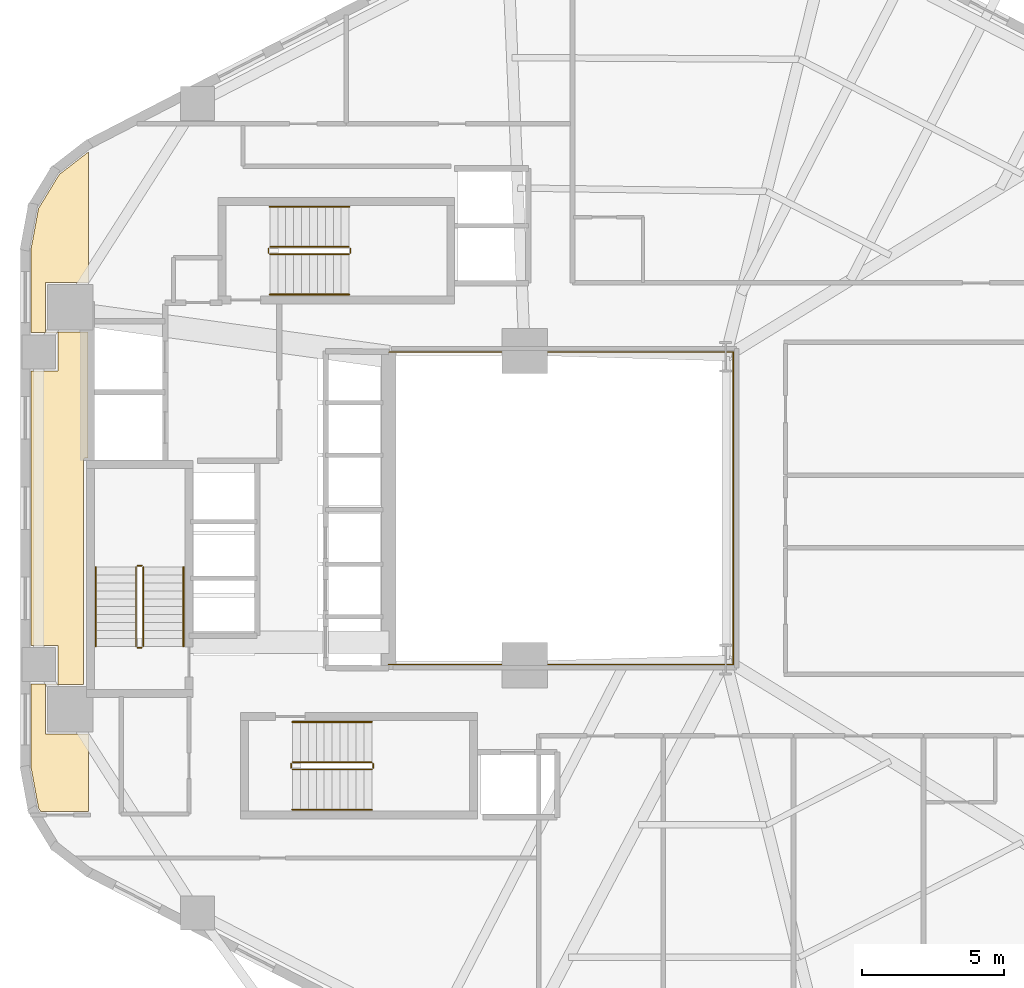
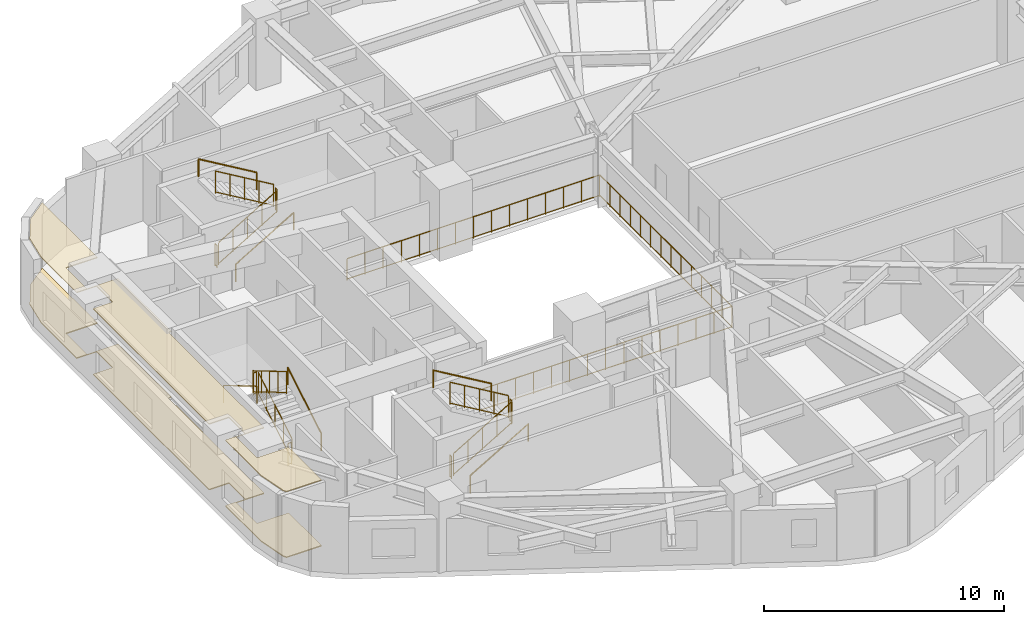
# One storey, part 7 of 7: 19 railings, 2 coverings.
"""IFC4 building model written with IfcOpenShell, lengths in metres."""

from ifc_helpers import new_model, si_unit, direction, frame, origin, origin_2d, place, context, subcontext, project, spatial, polyline, circle, outline, extrude, material, layer, layer_set, type_object, element, save


model = new_model("IFC4")

# Units and contexts
model_context = context("Model", 3, precision=1e-05, world=origin(), true_north=direction((0.0, 1.0)))
body_context = subcontext(model_context, "Body", "Model", "MODEL_VIEW")
ifc_project = project(units=[si_unit("LENGTHUNIT", "METRE"), si_unit("AREAUNIT", "SQUARE_METRE"), si_unit("VOLUMEUNIT", "CUBIC_METRE"), si_unit("PLANEANGLEUNIT", "RADIAN"), si_unit("MASSUNIT", "GRAM", prefix="KILO"), si_unit("THERMODYNAMICTEMPERATUREUNIT", "KELVIN"), si_unit("POWERUNIT", "WATT")], contexts=[model_context])

# Site, building, storey
site_placement = place(None, origin())
site = spatial("IfcSite", under=ifc_project, at=site_placement, CompositionType="ELEMENT")
building_placement = place(site_placement, origin())
building = spatial("IfcBuilding", under=site, at=building_placement, Name="Skarre Station Tower", CompositionType="ELEMENT")
storey_placement = place(building_placement, frame((0.0, 0.0, 78.10009765625)))
storey = spatial("IfcBuildingStorey", under=building, at=storey_placement, Name="L20", CompositionType="ELEMENT", Elevation=78.10009765625)

# Railing
ifc_material_1 = material(Name="Bronze Anodized Steel & Laminated Glass Balustrade", Category="steel")
railing_type_1 = type_object("IfcRailingType", Name="Atrium Void & Mezzanine Guard Balustrade 1120", PredefinedType="GUARDRAIL", material=ifc_material_1)
railing_1_placement = place(storey_placement, frame((27.550048828125, 18.47998046875, 0.0)))
element("IfcRailing", 1, at=railing_1_placement, inside=storey, type_object=railing_type_1, Name="L20 Atrium Void Guard Balustrade", PredefinedType="GUARDRAIL", context=body_context, shape_type="SweptSolid", body=[
    extrude(circle(Radius=0.02392578125, at=origin_2d()), frame((0.0, 0.0, 1.09619140625), z_axis=(1.0, 0.0, 0.0), x_axis=(0.0, 1.0, 0.0)), (0.0, 0.0, 1.0), 12.169921875),
    extrude(circle(Radius=0.02099609375, at=origin_2d()), frame((0.0, 0.0, 0.06005859375), z_axis=(1.0, 0.0, 0.0), x_axis=(0.0, 1.0, 0.0)), (0.0, 0.0, 1.0), 12.169921875),
    extrude(circle(Radius=0.02392578125, at=origin_2d()), frame((12.169921875, 0.0, 1.09619140625), z_axis=(0.0, 1.0, 0.0), x_axis=(-1.0, 0.0, 0.0)), (0.0, 0.0, 1.0), 11.0400390625),
    extrude(circle(Radius=0.02099609375, at=origin_2d()), frame((12.169921875, 0.0, 0.06005859375), z_axis=(0.0, 1.0, 0.0), x_axis=(-1.0, 0.0, 0.0)), (0.0, 0.0, 1.0), 11.0400390625),
    extrude(circle(Radius=0.02392578125, at=origin_2d()), frame((12.169921875, 11.0400390625, 1.09619140625), z_axis=(-1.0, 0.0, 0.0), x_axis=(0.0, -1.0, 0.0)), (0.0, 0.0, 1.0), 12.169921875),
    extrude(circle(Radius=0.02099609375, at=origin_2d()), frame((12.169921875, 11.0400390625, 0.06005859375), z_axis=(-1.0, 0.0, 0.0), x_axis=(0.0, -1.0, 0.0)), (0.0, 0.0, 1.0), 12.169921875),
    extrude(circle(Radius=0.02099609375, at=origin_2d()), origin(), (0.0, 0.0, 1.0), 1.072021484375),
    extrude(circle(Radius=0.02099609375, at=origin_2d()), frame((0.869384765625, 0.0, 0.0)), (0.0, 0.0, 1.0), 1.072021484375),
    extrude(circle(Radius=0.02099609375, at=origin_2d()), frame((1.738525390625, 0.0, 0.0)), (0.0, 0.0, 1.0), 1.072021484375),
    extrude(circle(Radius=0.02099609375, at=origin_2d()), frame((2.60791015625, 0.0, 0.0)), (0.0, 0.0, 1.0), 1.072021484375),
    extrude(circle(Radius=0.02099609375, at=origin_2d()), frame((3.47705078125, 0.0, 0.0)), (0.0, 0.0, 1.0), 1.072021484375),
    extrude(circle(Radius=0.02099609375, at=origin_2d()), frame((4.346435546875, 0.0, 0.0)), (0.0, 0.0, 1.0), 1.072021484375),
    extrude(circle(Radius=0.02099609375, at=origin_2d()), frame((5.215576171875, 0.0, 0.0)), (0.0, 0.0, 1.0), 1.072021484375),
    extrude(circle(Radius=0.02099609375, at=origin_2d()), frame((6.0849609375, 0.0, 0.0)), (0.0, 0.0, 1.0), 1.072021484375),
    extrude(circle(Radius=0.02099609375, at=origin_2d()), frame((6.954345703125, 0.0, 0.0)), (0.0, 0.0, 1.0), 1.072021484375),
    extrude(circle(Radius=0.02099609375, at=origin_2d()), frame((7.823486328125, 0.0, 0.0)), (0.0, 0.0, 1.0), 1.072021484375),
    extrude(circle(Radius=0.02099609375, at=origin_2d()), frame((8.69287109375, 0.0, 0.0)), (0.0, 0.0, 1.0), 1.072021484375),
    extrude(circle(Radius=0.02099609375, at=origin_2d()), frame((9.56201171875, 0.0, 0.0)), (0.0, 0.0, 1.0), 1.072021484375),
    extrude(circle(Radius=0.02099609375, at=origin_2d()), frame((10.431396484375, 0.0, 0.0)), (0.0, 0.0, 1.0), 1.072021484375),
    extrude(circle(Radius=0.02099609375, at=origin_2d()), frame((11.300537109375, 0.0, 0.0)), (0.0, 0.0, 1.0), 1.072021484375),
    extrude(circle(Radius=0.02099609375, at=origin_2d()), frame((12.169921875, 0.0, 0.0)), (0.0, 0.0, 1.0), 1.072021484375),
    extrude(circle(Radius=0.02099609375, at=origin_2d()), frame((12.169921875, 0.84912109375, 0.0)), (0.0, 0.0, 1.0), 1.072021484375),
    extrude(circle(Radius=0.02099609375, at=origin_2d()), frame((12.169921875, 1.698486328125, 0.0)), (0.0, 0.0, 1.0), 1.072021484375),
    extrude(circle(Radius=0.02099609375, at=origin_2d()), frame((12.169921875, 2.547607421875, 0.0)), (0.0, 0.0, 1.0), 1.072021484375),
    extrude(circle(Radius=0.02099609375, at=origin_2d()), frame((12.169921875, 3.39697265625, 0.0)), (0.0, 0.0, 1.0), 1.072021484375),
    extrude(circle(Radius=0.02099609375, at=origin_2d()), frame((12.169921875, 4.24609375, 0.0)), (0.0, 0.0, 1.0), 1.072021484375),
    extrude(circle(Radius=0.02099609375, at=origin_2d()), frame((12.169921875, 5.095458984375, 0.0)), (0.0, 0.0, 1.0), 1.072021484375),
    extrude(circle(Radius=0.02099609375, at=origin_2d()), frame((12.169921875, 5.944580078125, 0.0)), (0.0, 0.0, 1.0), 1.072021484375),
    extrude(circle(Radius=0.02099609375, at=origin_2d()), frame((12.169921875, 6.7939453125, 0.0)), (0.0, 0.0, 1.0), 1.072021484375),
    extrude(circle(Radius=0.02099609375, at=origin_2d()), frame((12.169921875, 7.64306640625, 0.0)), (0.0, 0.0, 1.0), 1.072021484375),
    extrude(circle(Radius=0.02099609375, at=origin_2d()), frame((12.169921875, 8.492431640625, 0.0)), (0.0, 0.0, 1.0), 1.072021484375),
    extrude(circle(Radius=0.02099609375, at=origin_2d()), frame((12.169921875, 9.341552734375, 0.0)), (0.0, 0.0, 1.0), 1.072021484375),
    extrude(circle(Radius=0.02099609375, at=origin_2d()), frame((12.169921875, 10.19091796875, 0.0)), (0.0, 0.0, 1.0), 1.072021484375),
    extrude(circle(Radius=0.02099609375, at=origin_2d()), frame((12.169921875, 11.0400390625, 0.0)), (0.0, 0.0, 1.0), 1.072021484375),
    extrude(circle(Radius=0.02099609375, at=origin_2d()), frame((11.300537109375, 11.0400390625, 0.0)), (0.0, 0.0, 1.0), 1.072021484375),
    extrude(circle(Radius=0.02099609375, at=origin_2d()), frame((10.431396484375, 11.0400390625, 0.0)), (0.0, 0.0, 1.0), 1.072021484375),
    extrude(circle(Radius=0.02099609375, at=origin_2d()), frame((9.56201171875, 11.0400390625, 0.0)), (0.0, 0.0, 1.0), 1.072021484375),
    extrude(circle(Radius=0.02099609375, at=origin_2d()), frame((8.69287109375, 11.0400390625, 0.0)), (0.0, 0.0, 1.0), 1.072021484375),
    extrude(circle(Radius=0.02099609375, at=origin_2d()), frame((7.823486328125, 11.0400390625, 0.0)), (0.0, 0.0, 1.0), 1.072021484375),
    extrude(circle(Radius=0.02099609375, at=origin_2d()), frame((6.954345703125, 11.0400390625, 0.0)), (0.0, 0.0, 1.0), 1.072021484375),
    extrude(circle(Radius=0.02099609375, at=origin_2d()), frame((6.0849609375, 11.0400390625, 0.0)), (0.0, 0.0, 1.0), 1.072021484375),
    extrude(circle(Radius=0.02099609375, at=origin_2d()), frame((5.215576171875, 11.0400390625, 0.0)), (0.0, 0.0, 1.0), 1.072021484375),
    extrude(circle(Radius=0.02099609375, at=origin_2d()), frame((4.346435546875, 11.0400390625, 0.0)), (0.0, 0.0, 1.0), 1.072021484375),
    extrude(circle(Radius=0.02099609375, at=origin_2d()), frame((3.47705078125, 11.0400390625, 0.0)), (0.0, 0.0, 1.0), 1.072021484375),
    extrude(circle(Radius=0.02099609375, at=origin_2d()), frame((2.60791015625, 11.0400390625, 0.0)), (0.0, 0.0, 1.0), 1.072021484375),
    extrude(circle(Radius=0.02099609375, at=origin_2d()), frame((1.738525390625, 11.0400390625, 0.0)), (0.0, 0.0, 1.0), 1.072021484375),
    extrude(circle(Radius=0.02099609375, at=origin_2d()), frame((0.869384765625, 11.0400390625, 0.0)), (0.0, 0.0, 1.0), 1.072021484375),
    extrude(circle(Radius=0.02099609375, at=origin_2d()), frame((0.0, 11.0400390625, 0.0)), (0.0, 0.0, 1.0), 1.072021484375),
])

# Coverings
ifc_material_2 = material(Name="Honed Jura Limestone & Calcium-Sulfate Access Tile", Category="masonry")
ifc_layer_1 = layer(ifc_material_2, 0.050048828125, Name="Honed Jura Limestone & Calcium-Sulfate Access Tile")
ifc_layer_set_1 = layer_set([ifc_layer_1], Name="Honed Jura Limestone & Calcium-Sulfate Access Tile")
covering_type_1 = type_object("IfcCoveringType", Name="Honed Limestone & Raised Access Floor Finish 50", PredefinedType="FLOORING", material=ifc_layer_set_1)
covering_1_placement = place(storey_placement, origin())
element("IfcCovering", 2, at=covering_1_placement, inside=storey, type_object=covering_type_1, Name="L20 Limestone Access Flooring 1", PredefinedType="FLOORING", context=body_context, shape_type="SweptSolid", body=[
    extrude(outline(polyline([(16.93994140625, 36.583984375), (15.910888671875, 35.787109375), (15.178955078125, 34.5859375), (14.9169921875, 33.1669921875), (14.9169921875, 30.200927734375), (15.866943359375, 30.200927734375), (15.866943359375, 28.841064453125), (14.9169921875, 28.841064453125), (14.9169921875, 19.158935546875), (15.866943359375, 19.158935546875), (15.866943359375, 17.799072265625), (14.9169921875, 17.799072265625), (14.9169921875, 14.8330078125), (15.178955078125, 13.4140625), (15.260986328125, 13.280029296875), (16.93994140625, 13.280029296875), (16.93994140625, 16.02001953125), (15.419921875, 16.02001953125), (15.419921875, 17.780029296875), (16.77001953125, 17.780029296875), (16.77001953125, 25.699951171875), (16.77001953125, 25.7080078125), (16.77197265625, 25.716064453125), (16.77294921875, 25.722900390625), (16.77587890625, 25.73095703125), (16.779052734375, 25.738037109375), (16.782958984375, 25.743896484375), (16.7880859375, 25.7509765625), (16.79296875, 25.757080078125), (16.799072265625, 25.761962890625), (16.805908203125, 25.76708984375), (16.81201171875, 25.77099609375), (16.819091796875, 25.77392578125), (16.826904296875, 25.777099609375), (16.833984375, 25.778076171875), (16.842041015625, 25.780029296875), (16.85009765625, 25.780029296875), (16.919921875, 25.780029296875), (16.919921875, 30.219970703125), (15.419921875, 30.219970703125), (15.419921875, 31.97998046875), (16.93994140625, 31.97998046875), (16.93994140625, 36.583984375)])), origin(), (0.0, 0.0, 1.0), 0.0498046875),
])
ifc_material_3 = material(Name="Perforated Nordic Birch Veneer & Mineral Wool", Category="wood")
ifc_layer_2 = layer(ifc_material_3, 0.044921875, Name="Perforated Nordic Birch Veneer & Mineral Wool")
ifc_layer_set_2 = layer_set([ifc_layer_2], Name="Perforated Nordic Birch Veneer & Mineral Wool")
covering_type_2 = type_object("IfcCoveringType", Name="Nordic Birch Slatted Acoustic Suspended Ceiling 45", PredefinedType="CEILING", material=ifc_layer_set_2)
covering_2_placement = place(storey_placement, frame((0.0, 0.0, 3.344970703125)))
element("IfcCovering", 3, at=covering_2_placement, inside=storey, type_object=covering_type_2, Name="L20 Acoustic Birch Ceiling 1", PredefinedType="CEILING", context=body_context, shape_type="SweptSolid", body=[
    extrude(outline(polyline([(16.93994140625, 36.583984375), (15.910888671875, 35.787109375), (15.178955078125, 34.5859375), (14.9169921875, 33.1669921875), (14.9169921875, 30.200927734375), (15.866943359375, 30.200927734375), (15.866943359375, 28.841064453125), (14.9169921875, 28.841064453125), (14.9169921875, 19.158935546875), (15.866943359375, 19.158935546875), (15.866943359375, 17.799072265625), (14.9169921875, 17.799072265625), (14.9169921875, 14.8330078125), (15.178955078125, 13.4140625), (15.260986328125, 13.280029296875), (16.93994140625, 13.280029296875), (16.93994140625, 16.02001953125), (15.419921875, 16.02001953125), (15.419921875, 17.780029296875), (16.77001953125, 17.780029296875), (16.77001953125, 25.699951171875), (16.77001953125, 25.7080078125), (16.77197265625, 25.716064453125), (16.77294921875, 25.722900390625), (16.77587890625, 25.73095703125), (16.779052734375, 25.738037109375), (16.782958984375, 25.743896484375), (16.7880859375, 25.7509765625), (16.79296875, 25.757080078125), (16.799072265625, 25.761962890625), (16.805908203125, 25.76708984375), (16.81201171875, 25.77099609375), (16.819091796875, 25.77392578125), (16.826904296875, 25.777099609375), (16.833984375, 25.778076171875), (16.842041015625, 25.780029296875), (16.85009765625, 25.780029296875), (16.919921875, 25.780029296875), (16.919921875, 30.219970703125), (15.419921875, 30.219970703125), (15.419921875, 31.97998046875), (16.93994140625, 31.97998046875), (16.93994140625, 36.583984375)])), origin(), (0.0, 0.0, 1.0), 0.044921875),
])

# Railings
ifc_material_4 = material(Name="Powder-Coated Tubular Steel", Category="steel")
railing_type_2 = type_object("IfcRailingType", Name="Painted Steel Ramp & Stair Handrail 920", PredefinedType="HANDRAIL", material=ifc_material_4)
railing_2_placement = place(storey_placement, frame((20.300048828125, 19.1201171875, 0.165771484375)))
element("IfcRailing", 4, at=railing_2_placement, inside=storey, type_object=railing_type_2, Name="L20 ST-1 stair handrail 1", PredefinedType="HANDRAIL", context=body_context, shape_type="SweptSolid", body=[
    extrude(circle(Radius=0.02392578125, at=origin_2d()), frame((0.0, 0.0, 0.8759765625), z_axis=(0.0, 0.860286659441, 0.509810615413), x_axis=(-1.0, 0.0, 0.0)), (0.0, 0.0, 1.0), 3.25439453125),
    extrude(circle(Radius=0.02099609375, at=origin_2d()), origin(), (0.0, 0.0, 1.0), 0.851806640625),
    extrude(circle(Radius=0.02099609375, at=origin_2d()), frame((0.0, 2.7998046875, 1.6591796875)), (0.0, 0.0, 1.0), 0.851806640625),
])
railing_3_placement = place(storey_placement, frame((17.199951171875, 21.919921875, 1.99072265625)))
element("IfcRailing", 5, at=railing_3_placement, inside=storey, type_object=railing_type_2, Name="L20 ST-1 stair handrail 2", PredefinedType="HANDRAIL", context=body_context, shape_type="SweptSolid", body=[
    extrude(circle(Radius=0.02392578125, at=origin_2d()), frame((0.0, 0.0, 0.8759765625), z_axis=(0.0, -0.860286659441, 0.509810615413), x_axis=(1.0, 0.0, 0.0)), (0.0, 0.0, 1.0), 3.25439453125),
    extrude(circle(Radius=0.02099609375, at=origin_2d()), origin(), (0.0, 0.0, 1.0), 0.851806640625),
    extrude(circle(Radius=0.02099609375, at=origin_2d()), frame((0.0, -2.7998046875, 1.6591796875)), (0.0, 0.0, 1.0), 0.851806640625),
])
railing_4_placement = place(storey_placement, frame((24.14990234375, 13.35009765625, 0.165771484375)))
element("IfcRailing", 6, at=railing_4_placement, inside=storey, type_object=railing_type_2, Name="L20 ST-2 stair handrail 1", PredefinedType="HANDRAIL", context=body_context, shape_type="SweptSolid", body=[
    extrude(circle(Radius=0.02392578125, at=origin_2d()), frame((0.0, 0.0, 0.8759765625), z_axis=(0.860306154799, 0.0, 0.50977771628), x_axis=(0.0, 1.0, 0.0)), (0.0, 0.0, 1.0), 3.254638671875),
    extrude(circle(Radius=0.02099609375, at=origin_2d()), origin(), (0.0, 0.0, 1.0), 0.851806640625),
    extrude(circle(Radius=0.02099609375, at=origin_2d()), frame((2.800048828125, 0.0, 1.6591796875)), (0.0, 0.0, 1.0), 0.851806640625),
])
railing_5_placement = place(storey_placement, frame((26.949951171875, 16.449951171875, 1.99072265625)))
element("IfcRailing", 7, at=railing_5_placement, inside=storey, type_object=railing_type_2, Name="L20 ST-2 stair handrail 2", PredefinedType="HANDRAIL", context=body_context, shape_type="SweptSolid", body=[
    extrude(circle(Radius=0.02392578125, at=origin_2d()), frame((0.0, 0.0, 0.8759765625), z_axis=(-0.860306154799, 0.0, 0.50977771628), x_axis=(0.0, -1.0, 0.0)), (0.0, 0.0, 1.0), 3.254638671875),
    extrude(circle(Radius=0.02099609375, at=origin_2d()), origin(), (0.0, 0.0, 1.0), 0.851806640625),
    extrude(circle(Radius=0.02099609375, at=origin_2d()), frame((-2.800048828125, 0.0, 1.6591796875)), (0.0, 0.0, 1.0), 0.851806640625),
])
railing_6_placement = place(storey_placement, frame((23.35009765625, 31.550048828125, 0.165771484375)))
element("IfcRailing", 8, at=railing_6_placement, inside=storey, type_object=railing_type_2, Name="L20 ST-3 stair handrail 1", PredefinedType="HANDRAIL", context=body_context, shape_type="SweptSolid", body=[
    extrude(circle(Radius=0.02392578125, at=origin_2d()), frame((0.0, 0.0, 0.8759765625), z_axis=(0.860286659441, 0.0, 0.509810615413), x_axis=(0.0, 1.0, 0.0)), (0.0, 0.0, 1.0), 3.25439453125),
    extrude(circle(Radius=0.02099609375, at=origin_2d()), origin(), (0.0, 0.0, 1.0), 0.851806640625),
    extrude(circle(Radius=0.02099609375, at=origin_2d()), frame((2.7998046875, 0.0, 1.6591796875)), (0.0, 0.0, 1.0), 0.851806640625),
])
railing_7_placement = place(storey_placement, frame((26.14990234375, 34.64990234375, 1.99072265625)))
element("IfcRailing", 9, at=railing_7_placement, inside=storey, type_object=railing_type_2, Name="L20 ST-3 stair handrail 2", PredefinedType="HANDRAIL", context=body_context, shape_type="SweptSolid", body=[
    extrude(circle(Radius=0.02392578125, at=origin_2d()), frame((0.0, 0.0, 0.8759765625), z_axis=(-0.860286659441, 0.0, 0.509810615413), x_axis=(0.0, -1.0, 0.0)), (0.0, 0.0, 1.0), 3.25439453125),
    extrude(circle(Radius=0.02099609375, at=origin_2d()), origin(), (0.0, 0.0, 1.0), 0.851806640625),
    extrude(circle(Radius=0.02099609375, at=origin_2d()), frame((-2.7998046875, 0.0, 1.6591796875)), (0.0, 0.0, 1.0), 0.851806640625),
])
railing_type_3 = type_object("IfcRailingType", Name="Painted Steel Stairwell Guardrail 1100", PredefinedType="GUARDRAIL", material=ifc_material_4)
railing_8_placement = place(storey_placement, frame((18.8798828125, 19.1201171875, 0.165771484375)))
element("IfcRailing", 10, at=railing_8_placement, inside=storey, type_object=railing_type_3, Name="L20 ST-1 stair guard 1", PredefinedType="GUARDRAIL", context=body_context, shape_type="SweptSolid", body=[
    extrude(circle(Radius=0.02392578125, at=origin_2d()), frame((0.0, 0.0, 1.1259765625), z_axis=(0.0, 0.860286659441, 0.509810615413), x_axis=(-1.0, 0.0, 0.0)), (0.0, 0.0, 1.0), 3.25439453125),
    extrude(circle(Radius=0.02099609375, at=origin_2d()), frame((0.0, 0.0, 0.06005859375), z_axis=(0.0, 0.860286659441, 0.509810615413), x_axis=(-1.0, 0.0, 0.0)), (0.0, 0.0, 1.0), 3.25439453125),
    extrude(circle(Radius=0.02099609375, at=origin_2d()), origin(), (0.0, 0.0, 1.0), 1.101806640625),
    extrude(circle(Radius=0.02099609375, at=origin_2d()), frame((0.0, 0.699951171875, 0.414794921875)), (0.0, 0.0, 1.0), 1.101806640625),
    extrude(circle(Radius=0.02099609375, at=origin_2d()), frame((0.0, 1.39990234375, 0.82958984375)), (0.0, 0.0, 1.0), 1.101806640625),
    extrude(circle(Radius=0.02099609375, at=origin_2d()), frame((0.0, 2.099853515625, 1.244384765625)), (0.0, 0.0, 1.0), 1.101806640625),
    extrude(circle(Radius=0.02099609375, at=origin_2d()), frame((0.0, 2.7998046875, 1.6591796875)), (0.0, 0.0, 1.0), 1.101806640625),
])
railing_9_placement = place(storey_placement, frame((18.830078125, 21.969970703125, 1.824951171875)))
element("IfcRailing", 11, at=railing_9_placement, inside=storey, type_object=railing_type_3, Name="L20 ST-1 stair guard 2", PredefinedType="GUARDRAIL", context=body_context, shape_type="SweptSolid", body=[
    extrude(circle(Radius=0.02392578125, at=origin_2d()), frame((0.0, 0.0, 1.1259765625), z_axis=(-1.0, 0.0, 0.0), x_axis=(0.0, -1.0, 0.0)), (0.0, 0.0, 1.0), 0.16015625),
    extrude(circle(Radius=0.02099609375, at=origin_2d()), frame((0.0, 0.0, 0.06005859375), z_axis=(-1.0, 0.0, 0.0), x_axis=(0.0, -1.0, 0.0)), (0.0, 0.0, 1.0), 0.16015625),
    extrude(circle(Radius=0.02099609375, at=origin_2d()), origin(), (0.0, 0.0, 1.0), 1.101806640625),
    extrude(circle(Radius=0.02099609375, at=origin_2d()), frame((-0.16015625, 0.0, 0.0)), (0.0, 0.0, 1.0), 1.101806640625),
])
railing_10_placement = place(storey_placement, frame((18.6201171875, 21.919921875, 1.99072265625)))
element("IfcRailing", 12, at=railing_10_placement, inside=storey, type_object=railing_type_3, Name="L20 ST-1 stair guard 3", PredefinedType="GUARDRAIL", context=body_context, shape_type="SweptSolid", body=[
    extrude(circle(Radius=0.02392578125, at=origin_2d()), frame((0.0, 0.0, 1.1259765625), z_axis=(0.0, -0.860286659441, 0.509810615413), x_axis=(1.0, 0.0, 0.0)), (0.0, 0.0, 1.0), 3.25439453125),
    extrude(circle(Radius=0.02099609375, at=origin_2d()), frame((0.0, 0.0, 0.06005859375), z_axis=(0.0, -0.860286659441, 0.509810615413), x_axis=(1.0, 0.0, 0.0)), (0.0, 0.0, 1.0), 3.25439453125),
    extrude(circle(Radius=0.02099609375, at=origin_2d()), origin(), (0.0, 0.0, 1.0), 1.101806640625),
    extrude(circle(Radius=0.02099609375, at=origin_2d()), frame((0.0, -0.699951171875, 0.414794921875)), (0.0, 0.0, 1.0), 1.101806640625),
    extrude(circle(Radius=0.02099609375, at=origin_2d()), frame((0.0, -1.39990234375, 0.82958984375)), (0.0, 0.0, 1.0), 1.101806640625),
    extrude(circle(Radius=0.02099609375, at=origin_2d()), frame((0.0, -2.099853515625, 1.244384765625)), (0.0, 0.0, 1.0), 1.101806640625),
    extrude(circle(Radius=0.02099609375, at=origin_2d()), frame((0.0, -2.7998046875, 1.6591796875)), (0.0, 0.0, 1.0), 1.101806640625),
])
railing_11_placement = place(storey_placement, frame((18.830078125, 19.070068359375, 0.0)))
element("IfcRailing", 13, at=railing_11_placement, inside=storey, type_object=railing_type_3, Name="L20 ST-1 stair guard 4", PredefinedType="GUARDRAIL", context=body_context, shape_type="SweptSolid", body=[
    extrude(circle(Radius=0.02392578125, at=origin_2d()), frame((0.0, 0.0, 1.1259765625), z_axis=(-1.0, 0.0, 0.0), x_axis=(0.0, -1.0, 0.0)), (0.0, 0.0, 1.0), 0.16015625),
    extrude(circle(Radius=0.02099609375, at=origin_2d()), frame((0.0, 0.0, 0.06005859375), z_axis=(-1.0, 0.0, 0.0), x_axis=(0.0, -1.0, 0.0)), (0.0, 0.0, 1.0), 0.16015625),
    extrude(circle(Radius=0.02099609375, at=origin_2d()), origin(), (0.0, 0.0, 1.0), 1.101806640625),
    extrude(circle(Radius=0.02099609375, at=origin_2d()), frame((-0.16015625, 0.0, 0.0)), (0.0, 0.0, 1.0), 1.101806640625),
])
railing_12_placement = place(storey_placement, frame((24.14990234375, 14.77001953125, 0.165771484375)))
element("IfcRailing", 14, at=railing_12_placement, inside=storey, type_object=railing_type_3, Name="L20 ST-2 stair guard 1", PredefinedType="GUARDRAIL", context=body_context, shape_type="SweptSolid", body=[
    extrude(circle(Radius=0.02392578125, at=origin_2d()), frame((0.0, 0.0, 1.1259765625), z_axis=(0.860306154799, 0.0, 0.50977771628), x_axis=(0.0, 1.0, 0.0)), (0.0, 0.0, 1.0), 3.254638671875),
    extrude(circle(Radius=0.02099609375, at=origin_2d()), frame((0.0, 0.0, 0.06005859375), z_axis=(0.860306154799, 0.0, 0.50977771628), x_axis=(0.0, 1.0, 0.0)), (0.0, 0.0, 1.0), 3.254638671875),
    extrude(circle(Radius=0.02099609375, at=origin_2d()), origin(), (0.0, 0.0, 1.0), 1.101806640625),
    extrude(circle(Radius=0.02099609375, at=origin_2d()), frame((0.699951171875, 0.0, 0.414794921875)), (0.0, 0.0, 1.0), 1.101806640625),
    extrude(circle(Radius=0.02099609375, at=origin_2d()), frame((1.39990234375, 0.0, 0.82958984375)), (0.0, 0.0, 1.0), 1.101806640625),
    extrude(circle(Radius=0.02099609375, at=origin_2d()), frame((2.10009765625, 0.0, 1.244384765625)), (0.0, 0.0, 1.0), 1.101806640625),
    extrude(circle(Radius=0.02099609375, at=origin_2d()), frame((2.800048828125, 0.0, 1.6591796875)), (0.0, 0.0, 1.0), 1.101806640625),
])
railing_13_placement = place(storey_placement, frame((27.0, 14.820068359375, 1.824951171875)))
element("IfcRailing", 15, at=railing_13_placement, inside=storey, type_object=railing_type_3, Name="L20 ST-2 stair guard 2", PredefinedType="GUARDRAIL", context=body_context, shape_type="SweptSolid", body=[
    extrude(circle(Radius=0.02392578125, at=origin_2d()), frame((0.0, 0.0, 1.1259765625), z_axis=(0.0, 1.0, 0.0), x_axis=(-1.0, 0.0, 0.0)), (0.0, 0.0, 1.0), 0.159912109375),
    extrude(circle(Radius=0.02099609375, at=origin_2d()), frame((0.0, 0.0, 0.06005859375), z_axis=(0.0, 1.0, 0.0), x_axis=(-1.0, 0.0, 0.0)), (0.0, 0.0, 1.0), 0.159912109375),
    extrude(circle(Radius=0.02099609375, at=origin_2d()), origin(), (0.0, 0.0, 1.0), 1.101806640625),
    extrude(circle(Radius=0.02099609375, at=origin_2d()), frame((0.0, 0.159912109375, 0.0)), (0.0, 0.0, 1.0), 1.101806640625),
])
railing_14_placement = place(storey_placement, frame((26.949951171875, 15.030029296875, 1.99072265625)))
element("IfcRailing", 16, at=railing_14_placement, inside=storey, type_object=railing_type_3, Name="L20 ST-2 stair guard 3", PredefinedType="GUARDRAIL", context=body_context, shape_type="SweptSolid", body=[
    extrude(circle(Radius=0.02392578125, at=origin_2d()), frame((0.0, 0.0, 1.1259765625), z_axis=(-0.860306154799, 0.0, 0.50977771628), x_axis=(0.0, -1.0, 0.0)), (0.0, 0.0, 1.0), 3.254638671875),
    extrude(circle(Radius=0.02099609375, at=origin_2d()), frame((0.0, 0.0, 0.06005859375), z_axis=(-0.860306154799, 0.0, 0.50977771628), x_axis=(0.0, -1.0, 0.0)), (0.0, 0.0, 1.0), 3.254638671875),
    extrude(circle(Radius=0.02099609375, at=origin_2d()), origin(), (0.0, 0.0, 1.0), 1.101806640625),
    extrude(circle(Radius=0.02099609375, at=origin_2d()), frame((-0.699951171875, 0.0, 0.414794921875)), (0.0, 0.0, 1.0), 1.101806640625),
    extrude(circle(Radius=0.02099609375, at=origin_2d()), frame((-1.39990234375, 0.0, 0.82958984375)), (0.0, 0.0, 1.0), 1.101806640625),
    extrude(circle(Radius=0.02099609375, at=origin_2d()), frame((-2.10009765625, 0.0, 1.244384765625)), (0.0, 0.0, 1.0), 1.101806640625),
    extrude(circle(Radius=0.02099609375, at=origin_2d()), frame((-2.800048828125, 0.0, 1.6591796875)), (0.0, 0.0, 1.0), 1.101806640625),
])
railing_15_placement = place(storey_placement, frame((24.10009765625, 14.820068359375, 0.0)))
element("IfcRailing", 17, at=railing_15_placement, inside=storey, type_object=railing_type_3, Name="L20 ST-2 stair guard 4", PredefinedType="GUARDRAIL", context=body_context, shape_type="SweptSolid", body=[
    extrude(circle(Radius=0.02392578125, at=origin_2d()), frame((0.0, 0.0, 1.1259765625), z_axis=(0.0, 1.0, 0.0), x_axis=(-1.0, 0.0, 0.0)), (0.0, 0.0, 1.0), 0.159912109375),
    extrude(circle(Radius=0.02099609375, at=origin_2d()), frame((0.0, 0.0, 0.06005859375), z_axis=(0.0, 1.0, 0.0), x_axis=(-1.0, 0.0, 0.0)), (0.0, 0.0, 1.0), 0.159912109375),
    extrude(circle(Radius=0.02099609375, at=origin_2d()), origin(), (0.0, 0.0, 1.0), 1.101806640625),
    extrude(circle(Radius=0.02099609375, at=origin_2d()), frame((0.0, 0.159912109375, 0.0)), (0.0, 0.0, 1.0), 1.101806640625),
])
railing_16_placement = place(storey_placement, frame((23.35009765625, 32.969970703125, 0.165771484375)))
element("IfcRailing", 18, at=railing_16_placement, inside=storey, type_object=railing_type_3, Name="L20 ST-3 stair guard 1", PredefinedType="GUARDRAIL", context=body_context, shape_type="SweptSolid", body=[
    extrude(circle(Radius=0.02392578125, at=origin_2d()), frame((0.0, 0.0, 1.1259765625), z_axis=(0.860286659441, 0.0, 0.509810615413), x_axis=(0.0, 1.0, 0.0)), (0.0, 0.0, 1.0), 3.25439453125),
    extrude(circle(Radius=0.02099609375, at=origin_2d()), frame((0.0, 0.0, 0.06005859375), z_axis=(0.860286659441, 0.0, 0.509810615413), x_axis=(0.0, 1.0, 0.0)), (0.0, 0.0, 1.0), 3.25439453125),
    extrude(circle(Radius=0.02099609375, at=origin_2d()), origin(), (0.0, 0.0, 1.0), 1.101806640625),
    extrude(circle(Radius=0.02099609375, at=origin_2d()), frame((0.699951171875, 0.0, 0.414794921875)), (0.0, 0.0, 1.0), 1.101806640625),
    extrude(circle(Radius=0.02099609375, at=origin_2d()), frame((1.39990234375, 0.0, 0.82958984375)), (0.0, 0.0, 1.0), 1.101806640625),
    extrude(circle(Radius=0.02099609375, at=origin_2d()), frame((2.099853515625, 0.0, 1.244384765625)), (0.0, 0.0, 1.0), 1.101806640625),
    extrude(circle(Radius=0.02099609375, at=origin_2d()), frame((2.7998046875, 0.0, 1.6591796875)), (0.0, 0.0, 1.0), 1.101806640625),
])
railing_17_placement = place(storey_placement, frame((26.199951171875, 33.02001953125, 1.824951171875)))
element("IfcRailing", 19, at=railing_17_placement, inside=storey, type_object=railing_type_3, Name="L20 ST-3 stair guard 2", PredefinedType="GUARDRAIL", context=body_context, shape_type="SweptSolid", body=[
    extrude(circle(Radius=0.02392578125, at=origin_2d()), frame((0.0, 0.0, 1.1259765625), z_axis=(0.0, 1.0, 0.0), x_axis=(-1.0, 0.0, 0.0)), (0.0, 0.0, 1.0), 0.159912109375),
    extrude(circle(Radius=0.02099609375, at=origin_2d()), frame((0.0, 0.0, 0.06005859375), z_axis=(0.0, 1.0, 0.0), x_axis=(-1.0, 0.0, 0.0)), (0.0, 0.0, 1.0), 0.159912109375),
    extrude(circle(Radius=0.02099609375, at=origin_2d()), origin(), (0.0, 0.0, 1.0), 1.101806640625),
    extrude(circle(Radius=0.02099609375, at=origin_2d()), frame((0.0, 0.159912109375, 0.0)), (0.0, 0.0, 1.0), 1.101806640625),
])
railing_18_placement = place(storey_placement, frame((26.14990234375, 33.22998046875, 1.99072265625)))
element("IfcRailing", 20, at=railing_18_placement, inside=storey, type_object=railing_type_3, Name="L20 ST-3 stair guard 3", PredefinedType="GUARDRAIL", context=body_context, shape_type="SweptSolid", body=[
    extrude(circle(Radius=0.02392578125, at=origin_2d()), frame((0.0, 0.0, 1.1259765625), z_axis=(-0.860286659441, 0.0, 0.509810615413), x_axis=(0.0, -1.0, 0.0)), (0.0, 0.0, 1.0), 3.25439453125),
    extrude(circle(Radius=0.02099609375, at=origin_2d()), frame((0.0, 0.0, 0.06005859375), z_axis=(-0.860286659441, 0.0, 0.509810615413), x_axis=(0.0, -1.0, 0.0)), (0.0, 0.0, 1.0), 3.25439453125),
    extrude(circle(Radius=0.02099609375, at=origin_2d()), origin(), (0.0, 0.0, 1.0), 1.101806640625),
    extrude(circle(Radius=0.02099609375, at=origin_2d()), frame((-0.699951171875, 0.0, 0.414794921875)), (0.0, 0.0, 1.0), 1.101806640625),
    extrude(circle(Radius=0.02099609375, at=origin_2d()), frame((-1.39990234375, 0.0, 0.82958984375)), (0.0, 0.0, 1.0), 1.101806640625),
    extrude(circle(Radius=0.02099609375, at=origin_2d()), frame((-2.099853515625, 0.0, 1.244384765625)), (0.0, 0.0, 1.0), 1.101806640625),
    extrude(circle(Radius=0.02099609375, at=origin_2d()), frame((-2.7998046875, 0.0, 1.6591796875)), (0.0, 0.0, 1.0), 1.101806640625),
])
railing_19_placement = place(storey_placement, frame((23.300048828125, 33.02001953125, 0.0)))
element("IfcRailing", 21, at=railing_19_placement, inside=storey, type_object=railing_type_3, Name="L20 ST-3 stair guard 4", PredefinedType="GUARDRAIL", context=body_context, shape_type="SweptSolid", body=[
    extrude(circle(Radius=0.02392578125, at=origin_2d()), frame((0.0, 0.0, 1.1259765625), z_axis=(0.0, 1.0, 0.0), x_axis=(-1.0, 0.0, 0.0)), (0.0, 0.0, 1.0), 0.159912109375),
    extrude(circle(Radius=0.02099609375, at=origin_2d()), frame((0.0, 0.0, 0.06005859375), z_axis=(0.0, 1.0, 0.0), x_axis=(-1.0, 0.0, 0.0)), (0.0, 0.0, 1.0), 0.159912109375),
    extrude(circle(Radius=0.02099609375, at=origin_2d()), origin(), (0.0, 0.0, 1.0), 1.101806640625),
    extrude(circle(Radius=0.02099609375, at=origin_2d()), frame((0.0, 0.159912109375, 0.0)), (0.0, 0.0, 1.0), 1.101806640625),
])

save(model, "model.ifc")
